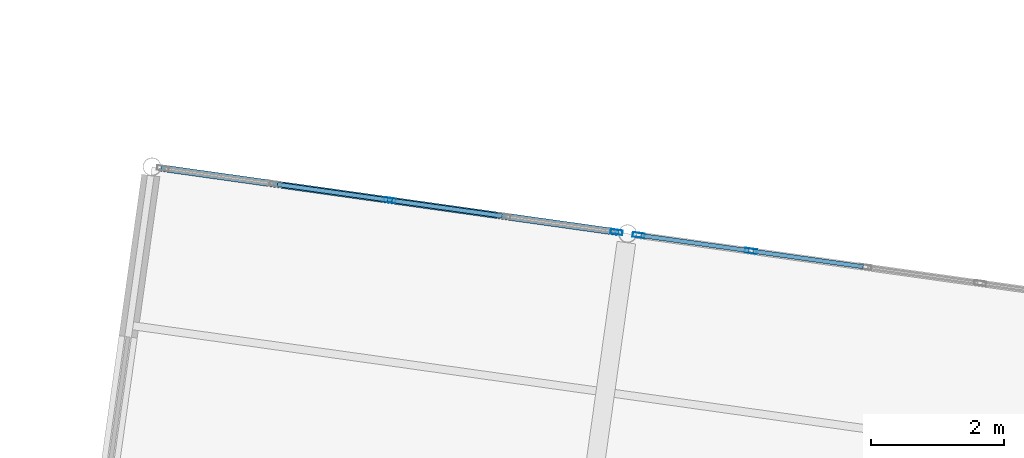
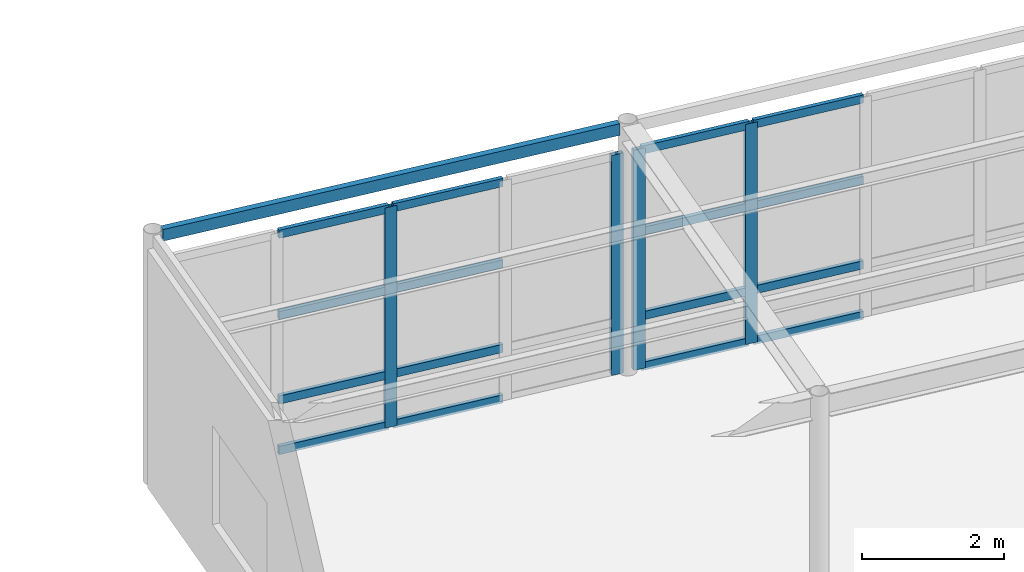
# One storey, part 28 of 67: 20 members, 1 beam, 2 elements without a shape of their own.
"""IFC4 building model written with IfcOpenShell, lengths in metres."""

from ifc_helpers import new_model, si_unit, direction, frame, origin, origin_2d, place, context, subcontext, project, spatial, hollow_rectangle, extrude, material, layer, layer_set, material_profile, profile_set, type_object, element, aggregate, save


model = new_model("IFC4")

# Units and contexts
model_context = context("Model", 3, precision=1e-05, world=origin(), true_north=direction((0.0, 1.0)))
body_context = subcontext(model_context, "Body", "Model", "MODEL_VIEW")
ifc_project = project(units=[si_unit("LENGTHUNIT", "METRE"), si_unit("AREAUNIT", "SQUARE_METRE"), si_unit("VOLUMEUNIT", "CUBIC_METRE"), si_unit("PLANEANGLEUNIT", "RADIAN"), si_unit("MASSUNIT", "GRAM", prefix="KILO")], contexts=[model_context])

# Site, building, storey
site_placement = place(None, origin())
site = spatial("IfcSite", under=ifc_project, at=site_placement, CompositionType="ELEMENT")
building_placement = place(site_placement, origin())
building = spatial("IfcBuilding", under=site, at=building_placement, Name="Kharisveld Research Institute", CompositionType="ELEMENT")
storey_placement = place(building_placement, frame((0.0, 0.0, 9.60009765625)))
storey = spatial("IfcBuildingStorey", under=building, at=storey_placement, Name="L02", CompositionType="ELEMENT", Elevation=9.60009765625)

# Curtain wall, members
ifc_material_1 = material(Name="Thermally Broken Aluminium Curtain Wall", Category="aluminium")
ifc_layer_1 = layer(ifc_material_1, 0.159912109375)
ifc_layer_set_1 = layer_set([ifc_layer_1], Name="CW_SYS_04")
curtain_wall_type_1 = type_object("IfcCurtainWallType", Name="CW_SYS_04", PredefinedType="NOTDEFINED", material=ifc_layer_set_1)
curtain_wall_1_placement = place(storey_placement, origin())
curtain_wall_1 = element("IfcCurtainWall", 1, at=curtain_wall_1_placement, inside=storey, type_object=curtain_wall_type_1, Name="CW:V4:L02:N0", PredefinedType="NOTDEFINED")
ifc_material_2 = material(Name="Anodised Aluminium AW-6063-T6", Category="aluminium")
ifc_material_profile_1 = material_profile(ifc_material_2, hollow_rectangle(XDim=0.070068359375, YDim=0.179931640625, WallThickness=0.00439453125, at=origin_2d()))
ifc_profile_set_1 = profile_set([ifc_material_profile_1], Name="Anodised Aluminium AW-6063-T6")
member_type_1 = type_object("IfcMemberType", Name="CW_MUL_180", PredefinedType="MULLION", material=ifc_profile_set_1)
member_1_placement = place(storey_placement, frame((81.571044921875, 38.388671875, 0.0), z_axis=(0.0, 0.0, 1.0), x_axis=(0.139173120957, 0.990268065931, 0.0)))
member_1 = element("IfcMember", 2, at=member_1_placement, type_object=member_type_1, Name="CW-04 mullion 3", PredefinedType="MULLION", context=body_context, shape_type="SweptSolid", body=[
    extrude(hollow_rectangle(XDim=0.070068359375, YDim=0.179931640625, WallThickness=0.00439453125, at=origin_2d()), origin(), (0.0, 0.0, 1.0), 3.77978515625),
])
member_2_placement = place(storey_placement, frame((84.97119140625, 37.910888671875, 0.0), z_axis=(0.0, 0.0, 1.0), x_axis=(0.139173120957, 0.990268065931, 0.0)))
member_2 = element("IfcMember", 3, at=member_2_placement, type_object=member_type_1, Name="CW-04 mullion 5", PredefinedType="MULLION", context=body_context, shape_type="SweptSolid", body=[
    extrude(hollow_rectangle(XDim=0.070068359375, YDim=0.179931640625, WallThickness=0.00439453125, at=origin_2d()), origin(), (0.0, 0.0, 1.0), 3.77978515625),
])

ifc_material_3 = material(Name="Thermally Broken Aluminium Curtain Wall", Category="aluminium")
ifc_layer_2 = layer(ifc_material_3, 0.159912109375)
ifc_layer_set_2 = layer_set([ifc_layer_2], Name="CW_SYS_05")
curtain_wall_type_2 = type_object("IfcCurtainWallType", Name="CW_SYS_05", PredefinedType="NOTDEFINED", material=ifc_layer_set_2)
curtain_wall_2_placement = place(storey_placement, origin())
curtain_wall_2 = element("IfcCurtainWall", 4, at=curtain_wall_2_placement, inside=storey, type_object=curtain_wall_type_2, Name="CW:V4:L02:N1", PredefinedType="NOTDEFINED")
member_3_placement = place(storey_placement, frame((85.301025390625, 37.864501953125, 0.0), z_axis=(0.0, 0.0, 1.0), x_axis=(0.139173120957, 0.990268065931, 0.0)))
member_3 = element("IfcMember", 5, at=member_3_placement, type_object=member_type_1, Name="CW-05 mullion 1", PredefinedType="MULLION", context=body_context, shape_type="SweptSolid", body=[
    extrude(hollow_rectangle(XDim=0.070068359375, YDim=0.179931640625, WallThickness=0.00439453125, at=origin_2d()), origin(), (0.0, 0.0, 1.0), 3.77978515625),
])
member_4_placement = place(storey_placement, frame((86.983642578125, 37.628173828125, 0.0), z_axis=(0.0, 0.0, 1.0), x_axis=(0.139173120957, 0.990268065931, 0.0)))
member_4 = element("IfcMember", 6, at=member_4_placement, type_object=member_type_1, Name="CW-05 mullion 2", PredefinedType="MULLION", context=body_context, shape_type="SweptSolid", body=[
    extrude(hollow_rectangle(XDim=0.070068359375, YDim=0.179931640625, WallThickness=0.00439453125, at=origin_2d()), origin(), (0.0, 0.0, 1.0), 3.77978515625),
])

# Member
ifc_material_4 = material(Name="Anodised Aluminium AW-6063-T6", Category="aluminium")
ifc_material_profile_2 = material_profile(ifc_material_4, hollow_rectangle(XDim=0.06494140625, YDim=0.139892578125, WallThickness=0.00390625, at=origin_2d()))
ifc_profile_set_2 = profile_set([ifc_material_profile_2], Name="Anodised Aluminium AW-6063-T6")
member_type_2 = type_object("IfcMemberType", Name="CW_TRN_140", PredefinedType="USERDEFINED", material=ifc_profile_set_2)
member_5_placement = place(storey_placement, frame((79.888427734375, 38.625244140625, 0.032470703125), z_axis=(0.990261003732, -0.139223361858, 0.0), x_axis=(0.139223361858, 0.990261003732, 0.0)))
member_5 = element("IfcMember", 7, at=member_5_placement, type_object=member_type_2, Name="CW-04 transom 2.1", ObjectType="TRANSOM", PredefinedType="USERDEFINED", context=body_context, shape_type="SweptSolid", body=[
    extrude(hollow_rectangle(XDim=0.06494140625, YDim=0.139892578125, WallThickness=0.00390625, at=origin_2d()), origin(), (0.0, 0.0, 1.0), 1.6640625),
])

member_6_placement = place(storey_placement, frame((79.888427734375, 38.625244140625, 0.89990234375), z_axis=(0.990261003732, -0.139223361858, 0.0), x_axis=(0.139223361858, 0.990261003732, 0.0)))
member_6 = element("IfcMember", 8, at=member_6_placement, type_object=member_type_2, Name="CW-04 transom 2.2", ObjectType="TRANSOM", PredefinedType="USERDEFINED", context=body_context, shape_type="SweptSolid", body=[
    extrude(hollow_rectangle(XDim=0.06494140625, YDim=0.139892578125, WallThickness=0.00390625, at=origin_2d()), origin(), (0.0, 0.0, 1.0), 1.6640625),
])

member_7_placement = place(storey_placement, frame((79.888427734375, 38.625244140625, 2.349853515625), z_axis=(0.990261003732, -0.139223361858, 0.0), x_axis=(0.139223361858, 0.990261003732, 0.0)))
member_7 = element("IfcMember", 9, at=member_7_placement, type_object=member_type_2, Name="CW-04 transom 2.3", ObjectType="TRANSOM", PredefinedType="USERDEFINED", context=body_context, shape_type="SweptSolid", body=[
    extrude(hollow_rectangle(XDim=0.06494140625, YDim=0.139892578125, WallThickness=0.00390625, at=origin_2d()), origin(), (0.0, 0.0, 1.0), 1.6640625),
])

member_8_placement = place(storey_placement, frame((79.888427734375, 38.625244140625, 3.747314453125), z_axis=(0.990261003732, -0.139223361858, 0.0), x_axis=(0.139223361858, 0.990261003732, 0.0)))
member_8 = element("IfcMember", 10, at=member_8_placement, type_object=member_type_2, Name="CW-04 transom 2.4", ObjectType="TRANSOM", PredefinedType="USERDEFINED", context=body_context, shape_type="SweptSolid", body=[
    extrude(hollow_rectangle(XDim=0.06494140625, YDim=0.139892578125, WallThickness=0.00390625, at=origin_2d()), origin(), (0.0, 0.0, 1.0), 1.6640625),
])

member_9_placement = place(storey_placement, frame((81.605712890625, 38.3837890625, 0.032470703125), z_axis=(0.990284056764, -0.139059292818, 0.0), x_axis=(0.139059292818, 0.990284056764, 0.0)))
member_9 = element("IfcMember", 11, at=member_9_placement, type_object=member_type_2, Name="CW-04 transom 3.1", ObjectType="TRANSOM", PredefinedType="USERDEFINED", context=body_context, shape_type="SweptSolid", body=[
    extrude(hollow_rectangle(XDim=0.06494140625, YDim=0.139892578125, WallThickness=0.00390625, at=origin_2d()), origin(), (0.0, 0.0, 1.0), 1.664306640625),
])

member_10_placement = place(storey_placement, frame((81.605712890625, 38.3837890625, 0.89990234375), z_axis=(0.990284056764, -0.139059292818, 0.0), x_axis=(0.139059292818, 0.990284056764, 0.0)))
member_10 = element("IfcMember", 12, at=member_10_placement, type_object=member_type_2, Name="CW-04 transom 3.2", ObjectType="TRANSOM", PredefinedType="USERDEFINED", context=body_context, shape_type="SweptSolid", body=[
    extrude(hollow_rectangle(XDim=0.06494140625, YDim=0.139892578125, WallThickness=0.00390625, at=origin_2d()), origin(), (0.0, 0.0, 1.0), 1.664306640625),
])

member_11_placement = place(storey_placement, frame((81.605712890625, 38.3837890625, 2.349853515625), z_axis=(0.990284056764, -0.139059292818, 0.0), x_axis=(0.139059292818, 0.990284056764, 0.0)))
member_11 = element("IfcMember", 13, at=member_11_placement, type_object=member_type_2, Name="CW-04 transom 3.3", ObjectType="TRANSOM", PredefinedType="USERDEFINED", context=body_context, shape_type="SweptSolid", body=[
    extrude(hollow_rectangle(XDim=0.06494140625, YDim=0.139892578125, WallThickness=0.00390625, at=origin_2d()), origin(), (0.0, 0.0, 1.0), 1.664306640625),
])

member_12_placement = place(storey_placement, frame((81.605712890625, 38.3837890625, 3.747314453125), z_axis=(0.990284056764, -0.139059292818, 0.0), x_axis=(0.139059292818, 0.990284056764, 0.0)))
member_12 = element("IfcMember", 14, at=member_12_placement, type_object=member_type_2, Name="CW-04 transom 3.4", ObjectType="TRANSOM", PredefinedType="USERDEFINED", context=body_context, shape_type="SweptSolid", body=[
    extrude(hollow_rectangle(XDim=0.06494140625, YDim=0.139892578125, WallThickness=0.00390625, at=origin_2d()), origin(), (0.0, 0.0, 1.0), 1.664306640625),
])

aggregate(curtain_wall_1, [member_1, member_2, member_5, member_6, member_7, member_8, member_9, member_10, member_11, member_12])

member_13_placement = place(storey_placement, frame((85.335693359375, 37.859619140625, 0.032470703125), z_axis=(0.990282393742, -0.139071135199, 0.0), x_axis=(0.139071135199, 0.990282393742, 0.0)))
member_13 = element("IfcMember", 15, at=member_13_placement, type_object=member_type_2, Name="CW-05 transom 1.1", ObjectType="TRANSOM", PredefinedType="USERDEFINED", context=body_context, shape_type="SweptSolid", body=[
    extrude(hollow_rectangle(XDim=0.06494140625, YDim=0.139892578125, WallThickness=0.00390625, at=origin_2d()), origin(), (0.0, 0.0, 1.0), 1.629150390625),
])

member_14_placement = place(storey_placement, frame((85.335693359375, 37.859619140625, 0.89990234375), z_axis=(0.990282393742, -0.139071135199, 0.0), x_axis=(0.139071135199, 0.990282393742, 0.0)))
member_14 = element("IfcMember", 16, at=member_14_placement, type_object=member_type_2, Name="CW-05 transom 1.2", ObjectType="TRANSOM", PredefinedType="USERDEFINED", context=body_context, shape_type="SweptSolid", body=[
    extrude(hollow_rectangle(XDim=0.06494140625, YDim=0.139892578125, WallThickness=0.00390625, at=origin_2d()), origin(), (0.0, 0.0, 1.0), 1.629150390625),
])

member_15_placement = place(storey_placement, frame((85.335693359375, 37.859619140625, 2.349853515625), z_axis=(0.990282393742, -0.139071135199, 0.0), x_axis=(0.139071135199, 0.990282393742, 0.0)))
member_15 = element("IfcMember", 17, at=member_15_placement, type_object=member_type_2, Name="CW-05 transom 1.3", ObjectType="TRANSOM", PredefinedType="USERDEFINED", context=body_context, shape_type="SweptSolid", body=[
    extrude(hollow_rectangle(XDim=0.06494140625, YDim=0.139892578125, WallThickness=0.00390625, at=origin_2d()), origin(), (0.0, 0.0, 1.0), 1.629150390625),
])

member_16_placement = place(storey_placement, frame((85.335693359375, 37.859619140625, 3.747314453125), z_axis=(0.990282393742, -0.139071135199, 0.0), x_axis=(0.139071135199, 0.990282393742, 0.0)))
member_16 = element("IfcMember", 18, at=member_16_placement, type_object=member_type_2, Name="CW-05 transom 1.4", ObjectType="TRANSOM", PredefinedType="USERDEFINED", context=body_context, shape_type="SweptSolid", body=[
    extrude(hollow_rectangle(XDim=0.06494140625, YDim=0.139892578125, WallThickness=0.00390625, at=origin_2d()), origin(), (0.0, 0.0, 1.0), 1.629150390625),
])

member_17_placement = place(storey_placement, frame((87.018310546875, 37.623291015625, 0.032470703125), z_axis=(0.990261003732, -0.139223361858, 0.0), x_axis=(0.139223361858, 0.990261003732, 0.0)))
member_17 = element("IfcMember", 19, at=member_17_placement, type_object=member_type_2, Name="CW-05 transom 2.1", ObjectType="TRANSOM", PredefinedType="USERDEFINED", context=body_context, shape_type="SweptSolid", body=[
    extrude(hollow_rectangle(XDim=0.06494140625, YDim=0.139892578125, WallThickness=0.00390625, at=origin_2d()), origin(), (0.0, 0.0, 1.0), 1.6640625),
])

member_18_placement = place(storey_placement, frame((87.018310546875, 37.623291015625, 0.89990234375), z_axis=(0.990261003732, -0.139223361858, 0.0), x_axis=(0.139223361858, 0.990261003732, 0.0)))
member_18 = element("IfcMember", 20, at=member_18_placement, type_object=member_type_2, Name="CW-05 transom 2.2", ObjectType="TRANSOM", PredefinedType="USERDEFINED", context=body_context, shape_type="SweptSolid", body=[
    extrude(hollow_rectangle(XDim=0.06494140625, YDim=0.139892578125, WallThickness=0.00390625, at=origin_2d()), origin(), (0.0, 0.0, 1.0), 1.6640625),
])

member_19_placement = place(storey_placement, frame((87.018310546875, 37.623291015625, 2.349853515625), z_axis=(0.990261003732, -0.139223361858, 0.0), x_axis=(0.139223361858, 0.990261003732, 0.0)))
member_19 = element("IfcMember", 21, at=member_19_placement, type_object=member_type_2, Name="CW-05 transom 2.3", ObjectType="TRANSOM", PredefinedType="USERDEFINED", context=body_context, shape_type="SweptSolid", body=[
    extrude(hollow_rectangle(XDim=0.06494140625, YDim=0.139892578125, WallThickness=0.00390625, at=origin_2d()), origin(), (0.0, 0.0, 1.0), 1.6640625),
])

member_20_placement = place(storey_placement, frame((87.018310546875, 37.623291015625, 3.747314453125), z_axis=(0.990261003732, -0.139223361858, 0.0), x_axis=(0.139223361858, 0.990261003732, 0.0)))
member_20 = element("IfcMember", 22, at=member_20_placement, type_object=member_type_2, Name="CW-05 transom 2.4", ObjectType="TRANSOM", PredefinedType="USERDEFINED", context=body_context, shape_type="SweptSolid", body=[
    extrude(hollow_rectangle(XDim=0.06494140625, YDim=0.139892578125, WallThickness=0.00390625, at=origin_2d()), origin(), (0.0, 0.0, 1.0), 1.6640625),
])

aggregate(curtain_wall_2, [member_3, member_4, member_13, member_14, member_15, member_16, member_17, member_18, member_19, member_20])

# Beam
ifc_material_5 = material(Name="Steel S355J2H", Category="steel")
ifc_material_profile_3 = material_profile(ifc_material_5, hollow_rectangle(XDim=0.10009765625, YDim=0.199951171875, WallThickness=0.008056640625, at=origin_2d()))
ifc_profile_set_3 = profile_set([ifc_material_profile_3], Name="Steel S355J2H")
beam_type = type_object("IfcBeamType", Name="SP_ST_RHS200", PredefinedType="SPANDREL", material=ifc_profile_set_3)
beam_placement = place(storey_placement, frame((78.141357421875, 38.870849609375, 4.204833984375), z_axis=(0.990266979849, -0.139180848611, 0.0), x_axis=(0.139180848611, 0.990266979849, 0.0)))
element("IfcBeam", 23, at=beam_placement, inside=storey, type_object=beam_type, Name="BM:V4:L02:U0_3", PredefinedType="SPANDREL", context=body_context, shape_type="SweptSolid", body=[
    extrude(hollow_rectangle(XDim=0.10009765625, YDim=0.199951171875, WallThickness=0.008056640625, at=origin_2d()), origin(), (0.0, 0.0, 1.0), 6.927001953125),
])

save(model, "model.ifc")
